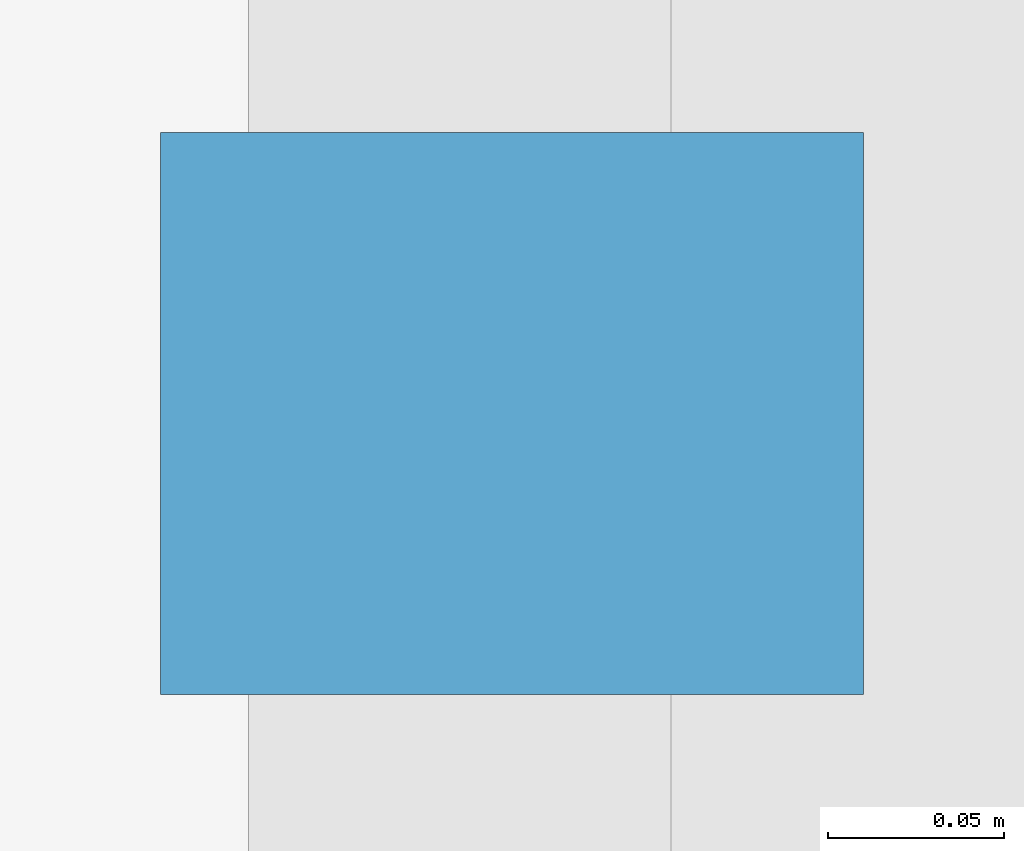
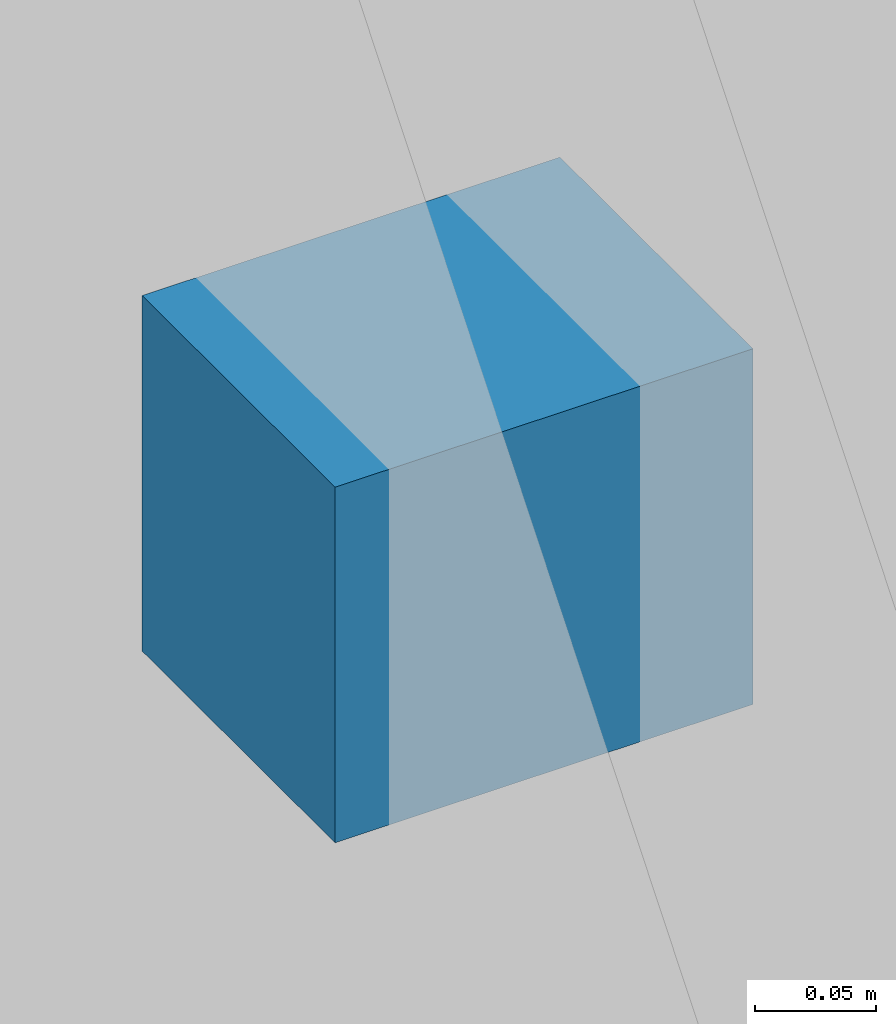
# One storey, part 14 of 18: 1 discrete accessory.
"""IFC4 building model written with IfcOpenShell, lengths in metres."""

from ifc_helpers import new_model, si_unit, direction, frame, origin, origin_2d, place, context, subcontext, project, spatial, rectangle, extrude, material, type_object, element, save


model = new_model("IFC4")

# Units and contexts
model_context = context("Model", 3, precision=1e-05, world=origin(), true_north=direction((0.0, 1.0)))
body_context = subcontext(model_context, "Body", "Model", "MODEL_VIEW")
ifc_project = project(units=[si_unit("LENGTHUNIT", "METRE"), si_unit("AREAUNIT", "SQUARE_METRE"), si_unit("VOLUMEUNIT", "CUBIC_METRE"), si_unit("PLANEANGLEUNIT", "RADIAN"), si_unit("MASSUNIT", "GRAM", prefix="KILO")], contexts=[model_context])

# Site, building, storey
site_placement = place(None, origin())
site = spatial("IfcSite", under=ifc_project, at=site_placement, CompositionType="ELEMENT")
building_placement = place(site_placement, origin())
building = spatial("IfcBuilding", under=site, at=building_placement, Name="Koriwani Terraces Tower", CompositionType="ELEMENT")
storey_placement = place(building_placement, frame((0.0, 0.0, 205.0)))
storey = spatial("IfcBuildingStorey", under=building, at=storey_placement, Name="L50", CompositionType="ELEMENT", Elevation=205.0)

# Discrete accessory
ifc_material = material(Name="Steel ASTM A572 Grade 50", Category="steel")
discrete_accessory_type = type_object("IfcDiscreteAccessoryType", Name="BAGUETTE_STANDOFF_BRACKET", PredefinedType="BRACKET", material=ifc_material)
discrete_accessory_placement = place(storey_placement, frame((33.2099609375, 63.0, 1.64501953125), z_axis=(0.0, 0.0, 1.0), x_axis=(0.0, -1.0, 0.0)))
element("IfcDiscreteAccessory", 1, at=discrete_accessory_placement, inside=storey, type_object=discrete_accessory_type, Name="L50 Terracotta Baguette Bracket (NW_IN-11)", PredefinedType="BRACKET", context=body_context, shape_type="SweptSolid", body=[
    extrude(rectangle(XDim=0.159912109375, YDim=0.199951171875, at=origin_2d()), origin(), (0.0, 0.0, 1.0), 0.179931640625),
])

save(model, "model.ifc")
